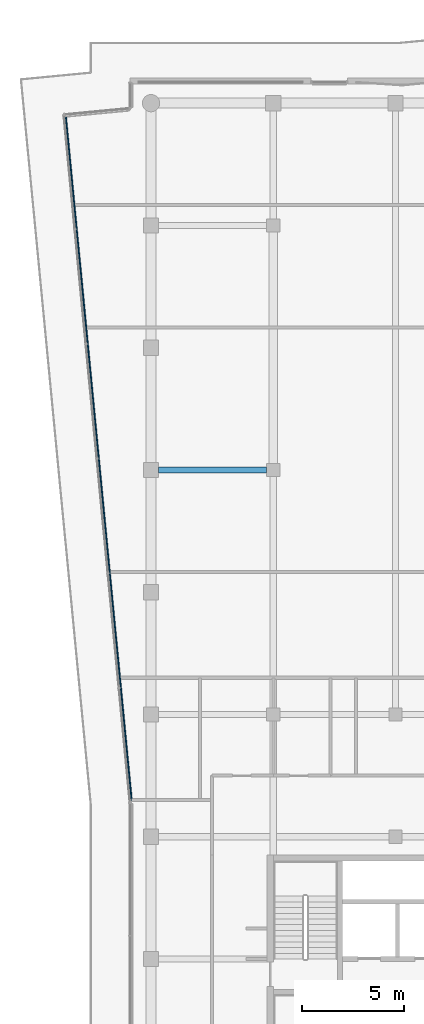
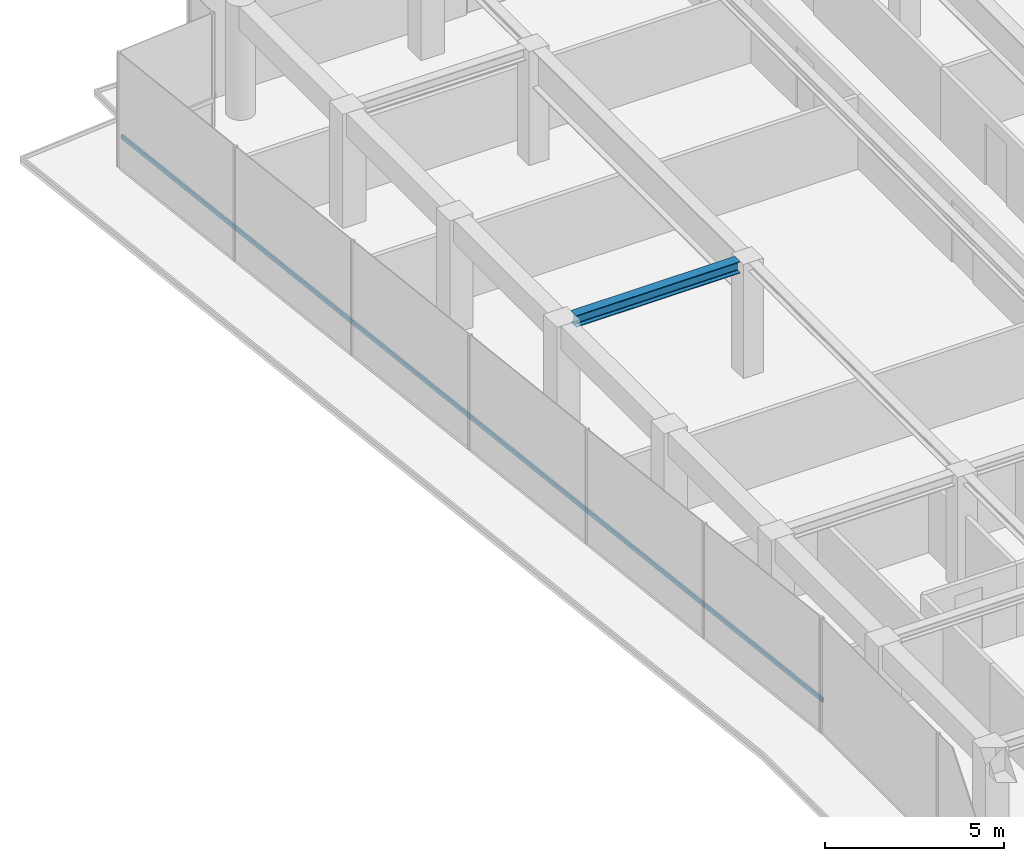
# One storey, part 10 of 22: 1 beam, 1 member, 1 element without a shape of its own.
"""IFC4 building model written with IfcOpenShell, lengths in metres."""

import ifcopenshell
import ifcopenshell.guid

model = None  # the IFC model being written
_history = None  # IfcOwnerHistory: only IFC2X3 demands one
_inside = {}  # id of a spatial element -> (the spatial element, [elements in it])
_under = {}  # id of a project, library or spatial element -> (it, [spatial elements below it])
_declared = {}  # id of a project -> (the project, [libraries it declares])
_typed = {}  # id of a type object -> (the type object, [elements of that type])
_made_of = {}  # id of a material, layer set ... -> (it, [elements and type objects made of it])


def new_model(schema):
    """Start an empty IFC model of exactly this schema.

    Asked for "IFC4X3", IfcOpenShell would pick the latest addendum, in which some entities
    have other attributes; the version numbers below select the first issue.
    IFC2X3 requires an IfcOwnerHistory on every rooted entity: one is made here for all.
    """
    global model, _history
    if schema == "IFC4X3":
        model = ifcopenshell.file(schema_version=(4, 3, 0, 0))
    else:
        model = ifcopenshell.file(schema=schema)
    _inside.clear()
    _under.clear()
    _declared.clear()
    _typed.clear()
    _made_of.clear()
    _history = None
    if model.schema == "IFC2X3":
        org = make("IfcOrganization", Name="unknown")
        user = make(
            "IfcPersonAndOrganization",
            ThePerson=make("IfcPerson", FamilyName="unknown"),
            TheOrganization=org,
        )
        app = make(
            "IfcApplication",
            ApplicationDeveloper=org,
            Version="unknown",
            ApplicationFullName="unknown",
            ApplicationIdentifier="unknown",
        )
        _history = make(
            "IfcOwnerHistory",
            OwningUser=user,
            OwningApplication=app,
            ChangeAction="ADDED",
            CreationDate=0,
        )
    return model


def make(cls, **values):
    """One entity of the class cls with the attributes given. An attribute that is None is left unset."""
    return model.create_entity(
        cls, **{name: value for name, value in values.items() if value is not None}
    )


def rooted(cls, **values):
    """An entity with a GlobalId (a new one), such as an element, a storey or a relation."""
    return make(cls, GlobalId=ifcopenshell.guid.new(), OwnerHistory=_history, **values)


def si_unit(unit_type, name, prefix=None):
    """IfcSIUnit, for example si_unit("LENGTHUNIT", "METRE", prefix="MILLI")."""
    return make("IfcSIUnit", UnitType=unit_type, Prefix=prefix, Name=name)


def assignment(units):
    """IfcUnitAssignment: the units of a project."""
    return None if units is None else make("IfcUnitAssignment", Units=units)


def point(xyz):
    """IfcCartesianPoint."""
    return None if xyz is None else make("IfcCartesianPoint", Coordinates=xyz)


def direction(xyz):
    """IfcDirection."""
    return None if xyz is None else make("IfcDirection", DirectionRatios=xyz)


def frame(location, z_axis=None, x_axis=None):
    """IfcAxis2Placement3D, a coordinate frame: its origin and axes. An axis left out is left unset."""
    return make(
        "IfcAxis2Placement3D",
        Location=point(location),
        Axis=direction(z_axis),
        RefDirection=direction(x_axis),
    )


def frame_2d(location, x_axis=None):
    """IfcAxis2Placement2D, a coordinate frame in the plane: its origin and x axis."""
    return make(
        "IfcAxis2Placement2D", Location=point(location), RefDirection=direction(x_axis)
    )


def origin():
    """The frame at (0, 0, 0) with its axes left unset."""
    return frame((0.0, 0.0, 0.0))


def origin_2d():
    """The frame at (0, 0) in the plane with its x axis left unset."""
    return frame_2d((0.0, 0.0))


def place(relative_to, where):
    """IfcLocalPlacement: puts the frame where relative to a parent placement (None: the world)."""
    return make(
        "IfcLocalPlacement", PlacementRelTo=relative_to, RelativePlacement=where
    )


def context(
    kind, dimensions, precision=None, world=None, true_north=None, identifier=None
):
    """IfcGeometricRepresentationContext, for example the 3D "Model" context."""
    return make(
        "IfcGeometricRepresentationContext",
        ContextIdentifier=identifier,
        ContextType=kind,
        CoordinateSpaceDimension=dimensions,
        Precision=precision,
        WorldCoordinateSystem=world,
        TrueNorth=true_north,
    )


def subcontext(parent, identifier, kind, view, scale=None):
    """IfcGeometricRepresentationSubContext, for example "Body" below "Model"."""
    return make(
        "IfcGeometricRepresentationSubContext",
        ContextIdentifier=identifier,
        ContextType=kind,
        ParentContext=parent,
        TargetScale=scale,
        TargetView=view,
    )


def project(units=None, contexts=None):
    """IfcProject with its units and contexts."""
    return rooted(
        "IfcProject",
        Name="project",
        RepresentationContexts=contexts,
        UnitsInContext=assignment(units),
    )


def spatial(cls, under=None, at=None, **own):
    """A site, building, storey or space (cls), placed at a placement, below another one or the project."""
    s = rooted(cls, ObjectPlacement=at, **own)
    if under is not None:
        _under.setdefault(under.id(), (under, []))[1].append(s)
    return s


def profile(cls, at=None, kind="AREA", **sizes):
    """A parametric profile (cls). Its sizes go by their IFC names, for example OverallWidth=200.0."""
    return make(cls, ProfileType=kind, Position=at, **sizes)


def rectangle(**sizes):
    """IfcRectangleProfileDef."""
    return profile("IfcRectangleProfileDef", **sizes)


def i_section(**sizes):
    """IfcIShapeProfileDef."""
    return profile("IfcIShapeProfileDef", **sizes)


def extrude(swept, where, along, depth):
    """IfcExtrudedAreaSolid: the profile swept, set in the frame where, extruded along a direction by depth."""
    return make(
        "IfcExtrudedAreaSolid",
        SweptArea=swept,
        Position=where,
        ExtrudedDirection=direction(along),
        Depth=depth,
    )


def shape(context_of_items, identifier, shape_type, items):
    """IfcShapeRepresentation: the items that make up one representation, for example the "Body"."""
    return make(
        "IfcShapeRepresentation",
        ContextOfItems=context_of_items,
        RepresentationIdentifier=identifier,
        RepresentationType=shape_type,
        Items=items,
    )


def material(Name=None, Category=None):
    """IfcMaterial."""
    return make("IfcMaterial", Name=Name, Category=Category)


def layer(
    of_material, thickness, ventilated=None, Name=None, Category=None, Priority=None
):
    """IfcMaterialLayer: one layer of a wall or slab, of a material (None: an air gap)."""
    return make(
        "IfcMaterialLayer",
        Material=of_material,
        LayerThickness=thickness,
        IsVentilated=ventilated,
        Name=Name,
        Category=Category,
        Priority=Priority,
    )


def layer_set(layers, Name=None):
    """IfcMaterialLayerSet."""
    return make("IfcMaterialLayerSet", MaterialLayers=layers, LayerSetName=Name)


def material_profile(
    of_material, cross_section, Name=None, Category=None, Priority=None
):
    """IfcMaterialProfile: a cross section and its material."""
    return make(
        "IfcMaterialProfile",
        Name=Name,
        Material=of_material,
        Profile=cross_section,
        Priority=Priority,
        Category=Category,
    )


def profile_set(profiles, Name=None, composite=None):
    """IfcMaterialProfileSet."""
    return make(
        "IfcMaterialProfileSet",
        Name=Name,
        MaterialProfiles=profiles,
        CompositeProfile=composite,
    )


def made_of(thing, what):
    """Note that an element or type object is made of a material, layer set ...; save() writes the relation."""
    if what is not None:
        _made_of.setdefault(what.id(), (what, []))[1].append(thing)
    return thing


def type_object(cls, material=None, **own):
    """A type object (cls), such as IfcWallType, which elements share."""
    return made_of(rooted(cls, **own), material)


def element(
    cls,
    number,
    at=None,
    inside=None,
    cuts=None,
    type_object=None,
    material=None,
    context=None,
    identifier="Body",
    shape_type=None,
    held_by="IfcProductDefinitionShape",
    body=None,
    shapes=None,
    **own,
):
    """One element of the class cls, such as IfcWall. Its Tag is "e" and its number.

    at: its placement. inside: the storey or other place that contains it. cuts: it is an
    opening in that element (IfcRelVoidsElement). A single representation is given by context,
    identifier, shape_type and body (its items); several are given by shapes. held_by: the class
    of the entity that holds the representations. save() writes the other relations.
    """
    e = rooted(cls, Tag="e%d" % number, ObjectPlacement=at, **own)
    if body is not None:
        shapes = [shape(context, identifier, shape_type, body)]
    if shapes is not None:
        e.Representation = make(held_by, Representations=shapes)
    if inside is not None:
        _inside.setdefault(inside.id(), (inside, []))[1].append(e)
    if cuts is not None:
        rooted(
            "IfcRelVoidsElement", RelatingBuildingElement=cuts, RelatedOpeningElement=e
        )
    if type_object is not None:
        _typed.setdefault(type_object.id(), (type_object, []))[1].append(e)
    return made_of(e, material)


def aggregate(whole, parts):
    """IfcRelAggregates: a whole, such as a stair, and the parts it consists of."""
    return rooted("IfcRelAggregates", RelatingObject=whole, RelatedObjects=parts)


def save(model, path):
    """Write the relations noted so far, then the file.

    IfcRelAggregates (storeys below a building ...), IfcRelContainedInSpatialStructure (elements
    in a storey), IfcRelDefinesByType, IfcRelAssociatesMaterial and IfcRelDeclares: one each for
    every whole, place, type object, material and project.
    """
    for whole, parts in _under.values():
        aggregate(whole, parts)
    for where, things in _inside.values():
        rooted(
            "IfcRelContainedInSpatialStructure",
            RelatedElements=things,
            RelatingStructure=where,
        )
    for kind, things in _typed.values():
        rooted("IfcRelDefinesByType", RelatedObjects=things, RelatingType=kind)
    for what, things in _made_of.values():
        rooted("IfcRelAssociatesMaterial", RelatedObjects=things, RelatingMaterial=what)
    for by, libraries in _declared.values():
        rooted("IfcRelDeclares", RelatingContext=by, RelatedDefinitions=libraries)
    model.write(path)


model = new_model("IFC4")

# Units and contexts
model_context = context("Model", 3, precision=1e-05, world=origin(), true_north=direction((0.0, 1.0)))
body_context = subcontext(model_context, "Body", "Model", "MODEL_VIEW")
ifc_project = project(units=[si_unit("LENGTHUNIT", "METRE"), si_unit("AREAUNIT", "SQUARE_METRE"), si_unit("VOLUMEUNIT", "CUBIC_METRE"), si_unit("PLANEANGLEUNIT", "RADIAN"), si_unit("MASSUNIT", "GRAM", prefix="KILO")], contexts=[model_context])

# Site, building, storey
site_placement = place(None, origin())
site = spatial("IfcSite", under=ifc_project, at=site_placement, CompositionType="ELEMENT")
building_placement = place(site_placement, origin())
building = spatial("IfcBuilding", under=site, at=building_placement, Name="Welwitschia Terrace Campus", CompositionType="ELEMENT")
storey_placement = place(building_placement, frame((0.0, 0.0, 310.39990234375)))
storey = spatial("IfcBuildingStorey", under=building, at=storey_placement, Name="L69", CompositionType="ELEMENT", Elevation=310.39990234375)

# Beam
ifc_material_1 = material(Name="Steel S355", Category="steel")
ifc_material_profile_1 = material_profile(ifc_material_1, i_section(OverallWidth=0.300048828125, OverallDepth=0.39990234375, WebThickness=0.013427734375, FlangeThickness=0.02392578125, FilletRadius=0.027099609375, at=origin_2d()))
ifc_profile_set_1 = profile_set([ifc_material_profile_1], Name="Steel S355")
beam_type = type_object("IfcBeamType", Name="Primary beam HE 400 B", PredefinedType="BEAM", material=ifc_profile_set_1)
beam_placement = place(storey_placement, frame((0.37548828125, 44.0, 3.7001953125), z_axis=(1.0, 0.0, 0.0), x_axis=(0.0, 1.0, 0.0)))
element("IfcBeam", 1, at=beam_placement, inside=storey, type_object=beam_type, Name="Primary beam PB6", PredefinedType="BEAM", context=body_context, shape_type="SweptSolid", body=[
    extrude(i_section(OverallWidth=0.300048828125, OverallDepth=0.39990234375, WebThickness=0.013427734375, FlangeThickness=0.02392578125, FilletRadius=0.027099609375, at=origin_2d()), origin(), (0.0, 0.0, 1.0), 5.299072265625),
])

# Curtain wall, member
ifc_material_2 = material(Name="Bronze anodised aluminium", Category="aluminium")
ifc_layer = layer(ifc_material_2, 0.1201171875)
ifc_layer_set = layer_set([ifc_layer], Name="Bronze anodised aluminium")
curtain_wall_type = type_object("IfcCurtainWallType", Name="Curtain wall CW2 tower 6000", PredefinedType="NOTDEFINED", material=ifc_layer_set)
curtain_wall_placement = place(storey_placement, origin())
curtain_wall = element("IfcCurtainWall", 2, at=curtain_wall_placement, inside=storey, type_object=curtain_wall_type, Name="CW L69.11.0", PredefinedType="NOTDEFINED")
ifc_material_3 = material(Name="Bronze anodised aluminium", Category="aluminium")
ifc_material_profile_2 = material_profile(ifc_material_3, rectangle(XDim=0.06005859375, YDim=0.14990234375, at=origin_2d()))
ifc_profile_set_2 = profile_set([ifc_material_profile_2], Name="Bronze anodised aluminium")
member_type = type_object("IfcMemberType", Name="Transom 60x150", PredefinedType="USERDEFINED", material=ifc_profile_set_2)
member_placement = place(storey_placement, frame((-4.185791015625, 61.38134765625, 1.0), z_axis=(0.095847281792, -0.995396051114, 0.0), x_axis=(0.995396051114, 0.095847281792, 0.0)))
member = element("IfcMember", 3, at=member_placement, type_object=member_type, Name="Transom L69.11.0", ObjectType="TRANSOM", PredefinedType="USERDEFINED", context=body_context, shape_type="SweptSolid", body=[
    extrude(rectangle(XDim=0.06005859375, YDim=0.14990234375, at=origin_2d()), origin(), (0.0, 0.0, 1.0), 33.801025390625),
])
aggregate(curtain_wall, [member])

save(model, "model.ifc")
